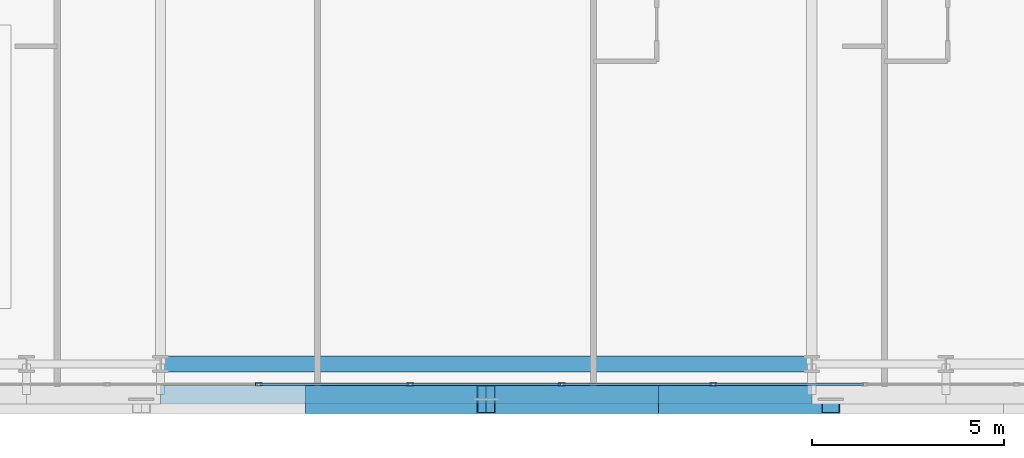
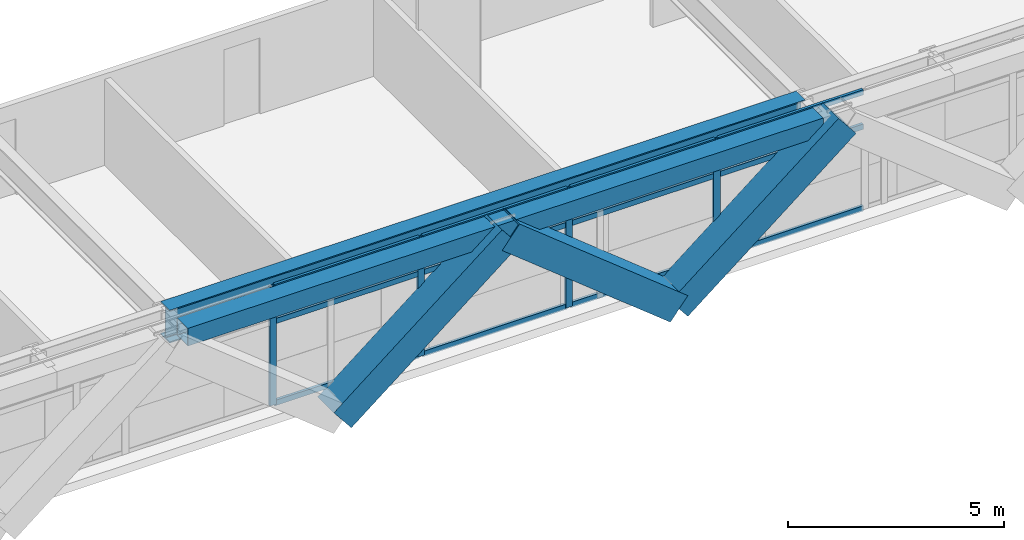
# One storey, part 5 of 35: 19 members, 2 beams, 1 element without a shape of its own.
"""IFC4 building model written with IfcOpenShell, lengths in metres."""

from ifc_helpers import new_model, si_unit, direction, frame, origin, origin_2d, place, context, subcontext, project, spatial, hollow_rectangle, i_section, extrude, source, transform, mapped, material, layer, layer_set, material_profile, profile_set, type_object, element, aggregate, save


model = new_model("IFC4")

# Units and contexts
model_context = context("Model", 3, precision=1e-05, world=origin(), true_north=direction((0.0, 1.0)))
body_context = subcontext(model_context, "Body", "Model", "MODEL_VIEW")
ifc_project = project(units=[si_unit("LENGTHUNIT", "METRE"), si_unit("AREAUNIT", "SQUARE_METRE"), si_unit("VOLUMEUNIT", "CUBIC_METRE"), si_unit("PLANEANGLEUNIT", "RADIAN"), si_unit("MASSUNIT", "GRAM", prefix="KILO")], contexts=[model_context])

# Site, building, storey
site_placement = place(None, origin())
site = spatial("IfcSite", under=ifc_project, at=site_placement, CompositionType="ELEMENT")
building_placement = place(site_placement, origin())
building = spatial("IfcBuilding", under=site, at=building_placement, Name="Ocotamira Hotel", CompositionType="ELEMENT")
storey_placement = place(building_placement, frame((0.0, 0.0, 144.0)))
storey = spatial("IfcBuildingStorey", under=building, at=storey_placement, Name="L36", CompositionType="ELEMENT", Elevation=144.0)

# Beams
ifc_material_1 = material(Name="Steel ASTM A992 Grade 50", Category="steel")
ifc_material_profile_1 = material_profile(ifc_material_1, i_section(OverallWidth=0.41796875, OverallDepth=0.927001953125, WebThickness=0.019287109375, FlangeThickness=0.031982421875, FilletRadius=0.02392578125, at=origin_2d()), Name="W36X231")
ifc_profile_set_1 = profile_set([ifc_material_profile_1], Name="Steel ASTM A992 Grade 50")
beam_type_1 = type_object("IfcBeamType", Name="BM-GIRD-W36X231", PredefinedType="BEAM", material=ifc_profile_set_1)
shared_shape_1 = source(origin(), body_context, "Body", "SweptSolid", [
    extrude(i_section(OverallWidth=0.41796875, OverallDepth=0.927001953125, WebThickness=0.019287109375, FlangeThickness=0.031982421875, FilletRadius=0.02392578125, at=origin_2d()), origin(), (0.0, 0.0, 1.0), 17.0),
])
beam_1_placement = place(storey_placement, frame((23.5, 2.949951171875, 2.896484375), z_axis=(1.0, 0.0, 0.0), x_axis=(0.0, 1.0, 0.0)))
element("IfcBeam", 1, at=beam_1_placement, inside=storey, type_object=beam_type_1, Name="L36 Girder Y2.95 X23.5-40.5", PredefinedType="BEAM", context=body_context, shape_type="MappedRepresentation", body=[
    mapped(shared_shape_1, transform((0.0, 0.0, 0.0), scale=1.0)),
])
ifc_material_2 = material(Name="Steel ASTM A500 Grade C", Category="steel")
ifc_material_profile_2 = material_profile(ifc_material_2, hollow_rectangle(XDim=0.5, YDim=0.5, WallThickness=0.02001953125, at=origin_2d()), Name="HSS500X500X20")
ifc_profile_set_2 = profile_set([ifc_material_profile_2], Name="Steel ASTM A500 Grade C")
beam_type_2 = type_object("IfcBeamType", Name="BM-SPAN-HSS500", PredefinedType="USERDEFINED", material=ifc_profile_set_2)
shared_shape_2 = source(origin(), body_context, "Body", "SweptSolid", [
    extrude(hollow_rectangle(XDim=0.5, YDim=0.5, WallThickness=0.02001953125, at=origin_2d()), origin(), (0.0, 0.0, 1.0), 17.0),
])
beam_2_placement = place(storey_placement, frame((23.5, 2.14990234375, 3.110107421875), z_axis=(1.0, 0.0, 0.0), x_axis=(0.0, 1.0, 0.0)))
element("IfcBeam", 2, at=beam_2_placement, inside=storey, type_object=beam_type_2, Name="L36 Edge Spandrel S X23.5-40.5", ObjectType="SPANDREL", PredefinedType="USERDEFINED", context=body_context, shape_type="MappedRepresentation", body=[
    mapped(shared_shape_2, transform((0.0, 0.0, 0.0), scale=1.0)),
])

# Members
ifc_material_3 = material(Name="Pale-metal coated steel ASTM A913 Grade 65", Category="steel")
ifc_material_profile_3 = material_profile(ifc_material_3, hollow_rectangle(XDim=0.75, YDim=0.75, WallThickness=0.028076171875, at=origin_2d()), Name="BOX750X750X28")
ifc_profile_set_3 = profile_set([ifc_material_profile_3], Name="Pale-metal coated steel ASTM A913 Grade 65")
member_type_1 = type_object("IfcMemberType", Name="MEM-EXO-BOX750", PredefinedType="BRACE", material=ifc_profile_set_3)
shared_shape_3 = source(origin(), body_context, "Body", "SweptSolid", [
    extrude(hollow_rectangle(XDim=0.75, YDim=0.75, WallThickness=0.028076171875, at=origin_2d()), origin(), (0.0, 0.0, 1.0), 5.762939453125),
])
for number, where, z_axis, x_axis, name in (
    (3, (27.5, 2.030029296875, -0.489990234375), (0.780860543151, 0.0, 0.624705380279), (0.0, 1.0, 0.0), "L36 Exoskeleton Diagrid S1.2"),
    (4, (36.5, 2.030029296875, -0.489990234375), (-0.780860543151, 0.0, 0.624705380279), (0.0, -1.0, 0.0), "L36 Exoskeleton Diagrid S2.1"),
    (5, (36.5, 2.030029296875, -0.489990234375), (0.780860543151, 0.0, 0.624705380279), (0.0, 1.0, 0.0), "L36 Exoskeleton Diagrid S2.2"),
):
    element("IfcMember", number, at=place(storey_placement, frame(where, z_axis=z_axis, x_axis=x_axis)), inside=storey, type_object=member_type_1, Name=name, PredefinedType="BRACE", context=body_context, shape_type="MappedRepresentation", body=[
        mapped(shared_shape_3, transform((0.0, 0.0, 0.0), scale=1.0)),
    ])

# Curtain wall, members
ifc_material_4 = material(Name="Anodised pale-metal aluminium and solar glass", Category="aluminium")
ifc_layer = layer(ifc_material_4, 0.179931640625)
ifc_layer_set = layer_set([ifc_layer], Name="Anodised pale-metal aluminium and solar glass")
curtain_wall_type = type_object("IfcCurtainWallType", Name="CW-SYS3-Z2", PredefinedType="NOTDEFINED", material=ifc_layer_set)
curtain_wall_placement = place(storey_placement, origin())
curtain_wall = element("IfcCurtainWall", 6, at=curtain_wall_placement, inside=storey, type_object=curtain_wall_type, Name="L36 Curtain Wall CW-3 CW-L36-S1", PredefinedType="NOTDEFINED")
ifc_material_5 = material(Name="Anodised pale-metal aluminium 6063-T6", Category="aluminium")
ifc_material_profile_4 = material_profile(ifc_material_5, hollow_rectangle(XDim=0.074951171875, YDim=0.14990234375, WallThickness=0.006103515625, at=origin_2d()), Name="HSS150X75X6")
ifc_profile_set_4 = profile_set([ifc_material_profile_4], Name="Anodised pale-metal aluminium 6063-T6")
member_type_2 = type_object("IfcMemberType", Name="CWT-150X75", PredefinedType="USERDEFINED", material=ifc_profile_set_4)
shared_shape_4 = source(origin(), body_context, "Body", "SweptSolid", [
    extrude(hollow_rectangle(XDim=0.074951171875, YDim=0.14990234375, WallThickness=0.006103515625, at=origin_2d()), origin(), (0.0, 0.0, 1.0), 3.87548828125),
])
member_1_placement = place(storey_placement, frame((26.106689453125, 2.419921875, 0.03759765625), z_axis=(1.0, 0.0, 0.0), x_axis=(0.0, 1.0, 0.0)))
member_1 = element("IfcMember", 7, at=member_1_placement, type_object=member_type_2, Name="CW-3 transom 4.1", ObjectType="TRANSOM", PredefinedType="USERDEFINED", context=body_context, shape_type="MappedRepresentation", body=[
    mapped(shared_shape_4, transform((0.0, 0.0, 0.0), scale=1.0)),
])
member_2_placement = place(storey_placement, frame((26.106689453125, 2.419921875, 2.35009765625), z_axis=(1.0, 0.0, 0.0), x_axis=(0.0, 1.0, 0.0)))
member_2 = element("IfcMember", 8, at=member_2_placement, type_object=member_type_2, Name="CW-3 transom 4.2", ObjectType="TRANSOM", PredefinedType="USERDEFINED", context=body_context, shape_type="MappedRepresentation", body=[
    mapped(shared_shape_4, transform((0.0, 0.0, 0.0), scale=1.0)),
])
member_3_placement = place(storey_placement, frame((26.106689453125, 2.419921875, 3.322509765625), z_axis=(1.0, 0.0, 0.0), x_axis=(0.0, 1.0, 0.0)))
member_3 = element("IfcMember", 9, at=member_3_placement, type_object=member_type_2, Name="CW-3 transom 4.3", ObjectType="TRANSOM", PredefinedType="USERDEFINED", context=body_context, shape_type="MappedRepresentation", body=[
    mapped(shared_shape_4, transform((0.0, 0.0, 0.0), scale=1.0)),
])
member_4_placement = place(storey_placement, frame((30.062255859375, 2.419921875, 0.03759765625), z_axis=(1.0, 0.0, 0.0), x_axis=(0.0, 1.0, 0.0)))
member_4 = element("IfcMember", 10, at=member_4_placement, type_object=member_type_2, Name="CW-3 transom 5.1", ObjectType="TRANSOM", PredefinedType="USERDEFINED", context=body_context, shape_type="MappedRepresentation", body=[
    mapped(shared_shape_4, transform((0.0, 0.0, 0.0), scale=1.0)),
])
member_5_placement = place(storey_placement, frame((30.062255859375, 2.419921875, 2.35009765625), z_axis=(1.0, 0.0, 0.0), x_axis=(0.0, 1.0, 0.0)))
member_5 = element("IfcMember", 11, at=member_5_placement, type_object=member_type_2, Name="CW-3 transom 5.2", ObjectType="TRANSOM", PredefinedType="USERDEFINED", context=body_context, shape_type="MappedRepresentation", body=[
    mapped(shared_shape_4, transform((0.0, 0.0, 0.0), scale=1.0)),
])
member_6_placement = place(storey_placement, frame((30.062255859375, 2.419921875, 3.322509765625), z_axis=(1.0, 0.0, 0.0), x_axis=(0.0, 1.0, 0.0)))
member_6 = element("IfcMember", 12, at=member_6_placement, type_object=member_type_2, Name="CW-3 transom 5.3", ObjectType="TRANSOM", PredefinedType="USERDEFINED", context=body_context, shape_type="MappedRepresentation", body=[
    mapped(shared_shape_4, transform((0.0, 0.0, 0.0), scale=1.0)),
])
member_7_placement = place(storey_placement, frame((34.017822265625, 2.419921875, 0.03759765625), z_axis=(1.0, 0.0, 0.0), x_axis=(0.0, 1.0, 0.0)))
member_7 = element("IfcMember", 13, at=member_7_placement, type_object=member_type_2, Name="CW-3 transom 6.1", ObjectType="TRANSOM", PredefinedType="USERDEFINED", context=body_context, shape_type="MappedRepresentation", body=[
    mapped(shared_shape_4, transform((0.0, 0.0, 0.0), scale=1.0)),
])
member_8_placement = place(storey_placement, frame((34.017822265625, 2.419921875, 2.35009765625), z_axis=(1.0, 0.0, 0.0), x_axis=(0.0, 1.0, 0.0)))
member_8 = element("IfcMember", 14, at=member_8_placement, type_object=member_type_2, Name="CW-3 transom 6.2", ObjectType="TRANSOM", PredefinedType="USERDEFINED", context=body_context, shape_type="MappedRepresentation", body=[
    mapped(shared_shape_4, transform((0.0, 0.0, 0.0), scale=1.0)),
])
member_9_placement = place(storey_placement, frame((34.017822265625, 2.419921875, 3.322509765625), z_axis=(1.0, 0.0, 0.0), x_axis=(0.0, 1.0, 0.0)))
member_9 = element("IfcMember", 15, at=member_9_placement, type_object=member_type_2, Name="CW-3 transom 6.3", ObjectType="TRANSOM", PredefinedType="USERDEFINED", context=body_context, shape_type="MappedRepresentation", body=[
    mapped(shared_shape_4, transform((0.0, 0.0, 0.0), scale=1.0)),
])
member_10_placement = place(storey_placement, frame((37.973388671875, 2.419921875, 0.03759765625), z_axis=(1.0, 0.0, 0.0), x_axis=(0.0, 1.0, 0.0)))
member_10 = element("IfcMember", 16, at=member_10_placement, type_object=member_type_2, Name="CW-3 transom 7.1", ObjectType="TRANSOM", PredefinedType="USERDEFINED", context=body_context, shape_type="MappedRepresentation", body=[
    mapped(shared_shape_4, transform((0.0, 0.0, 0.0), scale=1.0)),
])
member_11_placement = place(storey_placement, frame((37.973388671875, 2.419921875, 2.35009765625), z_axis=(1.0, 0.0, 0.0), x_axis=(0.0, 1.0, 0.0)))
member_11 = element("IfcMember", 17, at=member_11_placement, type_object=member_type_2, Name="CW-3 transom 7.2", ObjectType="TRANSOM", PredefinedType="USERDEFINED", context=body_context, shape_type="MappedRepresentation", body=[
    mapped(shared_shape_4, transform((0.0, 0.0, 0.0), scale=1.0)),
])
member_12_placement = place(storey_placement, frame((37.973388671875, 2.419921875, 3.322509765625), z_axis=(1.0, 0.0, 0.0), x_axis=(0.0, 1.0, 0.0)))
member_12 = element("IfcMember", 18, at=member_12_placement, type_object=member_type_2, Name="CW-3 transom 7.3", ObjectType="TRANSOM", PredefinedType="USERDEFINED", context=body_context, shape_type="MappedRepresentation", body=[
    mapped(shared_shape_4, transform((0.0, 0.0, 0.0), scale=1.0)),
])
ifc_material_profile_5 = material_profile(ifc_material_5, hollow_rectangle(XDim=0.080078125, YDim=0.179931640625, WallThickness=0.006103515625, at=origin_2d()), Name="HSS180X80X6")
ifc_profile_set_5 = profile_set([ifc_material_profile_5], Name="Anodised pale-metal aluminium 6063-T6")
member_type_3 = type_object("IfcMemberType", Name="CWM-180X75", PredefinedType="MULLION", material=ifc_profile_set_5)
shared_shape_5 = source(origin(), body_context, "Body", "SweptSolid", [
    extrude(hollow_rectangle(XDim=0.080078125, YDim=0.179931640625, WallThickness=0.006103515625, at=origin_2d()), origin(), (0.0, 0.0, 1.0), 3.360107421875),
])
member_13_placement = place(storey_placement, frame((26.066650390625, 2.419921875, 0.0), z_axis=(0.0, 0.0, 1.0), x_axis=(0.0, 1.0, 0.0)))
member_13 = element("IfcMember", 19, at=member_13_placement, type_object=member_type_3, Name="CW-3 mullion 4", PredefinedType="MULLION", context=body_context, shape_type="MappedRepresentation", body=[
    mapped(shared_shape_5, transform((0.0, 0.0, 0.0), scale=1.0)),
])
member_14_placement = place(storey_placement, frame((30.022216796875, 2.419921875, 0.0), z_axis=(0.0, 0.0, 1.0), x_axis=(0.0, 1.0, 0.0)))
member_14 = element("IfcMember", 20, at=member_14_placement, type_object=member_type_3, Name="CW-3 mullion 5", PredefinedType="MULLION", context=body_context, shape_type="MappedRepresentation", body=[
    mapped(shared_shape_5, transform((0.0, 0.0, 0.0), scale=1.0)),
])
member_15_placement = place(storey_placement, frame((33.977783203125, 2.419921875, 0.0), z_axis=(0.0, 0.0, 1.0), x_axis=(0.0, 1.0, 0.0)))
member_15 = element("IfcMember", 21, at=member_15_placement, type_object=member_type_3, Name="CW-3 mullion 6", PredefinedType="MULLION", context=body_context, shape_type="MappedRepresentation", body=[
    mapped(shared_shape_5, transform((0.0, 0.0, 0.0), scale=1.0)),
])
member_16_placement = place(storey_placement, frame((37.933349609375, 2.419921875, 0.0), z_axis=(0.0, 0.0, 1.0), x_axis=(0.0, 1.0, 0.0)))
member_16 = element("IfcMember", 22, at=member_16_placement, type_object=member_type_3, Name="CW-3 mullion 7", PredefinedType="MULLION", context=body_context, shape_type="MappedRepresentation", body=[
    mapped(shared_shape_5, transform((0.0, 0.0, 0.0), scale=1.0)),
])
aggregate(curtain_wall, [member_13, member_14, member_15, member_16, member_1, member_2, member_3, member_4, member_5, member_6, member_7, member_8, member_9, member_10, member_11, member_12])

save(model, "model.ifc")
